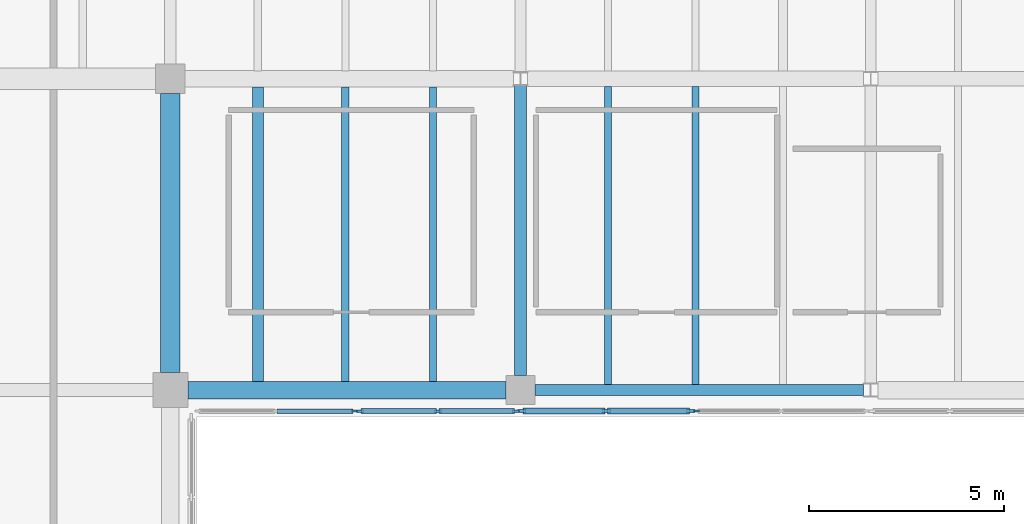
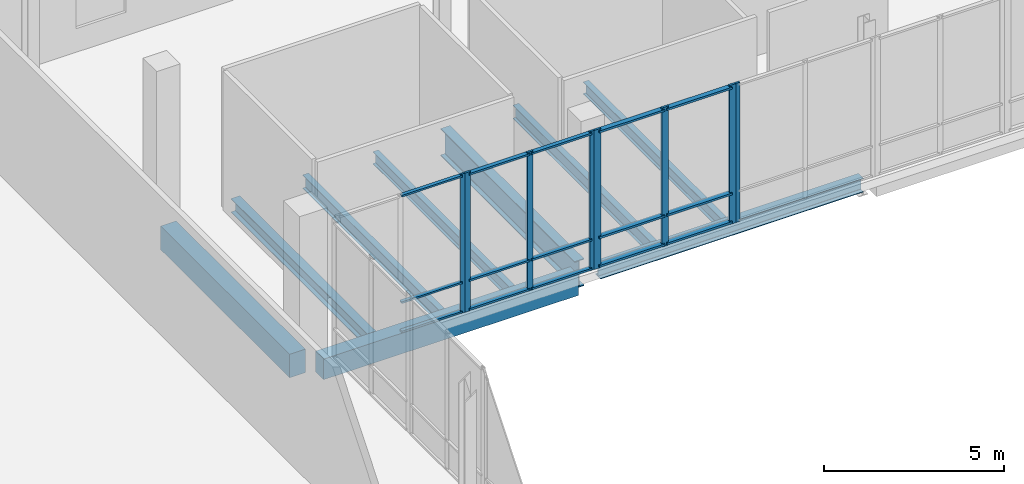
# One storey, part 30 of 73: 23 members, 9 beams, 4 elements without a shape of their own.
"""IFC4 building model written with IfcOpenShell, lengths in metres."""

from ifc_helpers import new_model, si_unit, direction, frame, origin, origin_2d, place, context, subcontext, project, spatial, rectangle, i_section, extrude, material, material_profile, profile_set, type_object, element, aggregate, save


model = new_model("IFC4")

# Units and contexts
model_context = context("Model", 3, precision=1e-05, world=origin(), true_north=direction((0.0, 1.0)))
body_context = subcontext(model_context, "Body", "Model", "MODEL_VIEW")
ifc_project = project(units=[si_unit("LENGTHUNIT", "METRE"), si_unit("AREAUNIT", "SQUARE_METRE"), si_unit("VOLUMEUNIT", "CUBIC_METRE"), si_unit("PLANEANGLEUNIT", "RADIAN"), si_unit("MASSUNIT", "GRAM", prefix="KILO")], contexts=[model_context])

# Site, building, storey
site_placement = place(None, origin())
site = spatial("IfcSite", under=ifc_project, at=site_placement, CompositionType="ELEMENT")
building_placement = place(site_placement, origin())
building = spatial("IfcBuilding", under=site, at=building_placement, Name="Trimount Lyric Opera House", CompositionType="ELEMENT")
storey_placement = place(building_placement, frame((0.0, 0.0, 10.0)))
storey = spatial("IfcBuildingStorey", under=building, at=storey_placement, Name="L02", CompositionType="ELEMENT", Elevation=10.0)

# Beams
ifc_material_1 = material(Name="Steel ASTM A992 Grade 50", Category="steel")
ifc_material_profile_1 = material_profile(ifc_material_1, i_section(OverallWidth=0.304931640625, OverallDepth=0.9189453125, WebThickness=0.017333984375, FlangeThickness=0.02783203125, FilletRadius=0.02001953125, at=origin_2d()), Name="W36X170")
ifc_profile_set_1 = profile_set([ifc_material_profile_1], Name="Steel ASTM A992 Grade 50")
beam_type_1 = type_object("IfcBeamType", Name="B-03", PredefinedType="BEAM", material=ifc_profile_set_1)
beam_1_placement = place(storey_placement, frame((27.0, 102.375, -0.739501953125), z_axis=(0.0, 1.0, 0.0), x_axis=(-1.0, 0.0, 0.0)))
element("IfcBeam", 1, at=beam_1_placement, inside=storey, type_object=beam_type_1, Name="L02 girder Y-0847", PredefinedType="BEAM", context=body_context, shape_type="SweptSolid", body=[
    extrude(i_section(OverallWidth=0.304931640625, OverallDepth=0.9189453125, WebThickness=0.017333984375, FlangeThickness=0.02783203125, FilletRadius=0.02001953125, at=origin_2d()), origin(), (0.0, 0.0, 1.0), 7.447021484375),
])
ifc_material_2 = material(Name="Concrete C40/50", Category="concrete")
ifc_material_profile_2 = material_profile(ifc_material_2, rectangle(XDim=0.5, YDim=0.800048828125, at=origin_2d()), Name="RC500X800")
ifc_profile_set_2 = profile_set([ifc_material_profile_2], Name="Concrete C40/50")
beam_type_2 = type_object("IfcBeamType", Name="B-15", PredefinedType="BEAM", material=ifc_profile_set_2)
beam_2_placement = place(storey_placement, frame((18.0, 102.449951171875, -0.679931640625), z_axis=(0.0, 1.0, 0.0), x_axis=(-1.0, 0.0, 0.0)))
element("IfcBeam", 2, at=beam_2_placement, inside=storey, type_object=beam_type_2, Name="L02 girder Y-0843", PredefinedType="BEAM", context=body_context, shape_type="SweptSolid", body=[
    extrude(rectangle(XDim=0.5, YDim=0.800048828125, at=origin_2d()), origin(), (0.0, 0.0, 1.0), 7.175048828125),
])
ifc_material_3 = material(Name="Steel ASTM A992 Grade 50", Category="steel")
ifc_material_profile_3 = material_profile(ifc_material_3, i_section(OverallWidth=0.281982421875, OverallDepth=0.467041015625, WebThickness=0.01220703125, FlangeThickness=0.01953125, FilletRadius=0.012939453125, at=origin_2d()), Name="W18X86")
ifc_profile_set_3 = profile_set([ifc_material_profile_3], Name="Steel ASTM A992 Grade 50")
beam_type_3 = type_object("IfcBeamType", Name="J-03", PredefinedType="BEAM", material=ifc_profile_set_3)
beam_3_placement = place(storey_placement, frame((20.25, 102.220947265625, -0.513427734375), z_axis=(0.0, 1.0, 0.0), x_axis=(-1.0, 0.0, 0.0)))
element("IfcBeam", 3, at=beam_3_placement, inside=storey, type_object=beam_type_3, Name="L02 composite floor joist 0818", PredefinedType="BEAM", context=body_context, shape_type="SweptSolid", body=[
    extrude(i_section(OverallWidth=0.281982421875, OverallDepth=0.467041015625, WebThickness=0.01220703125, FlangeThickness=0.01953125, FilletRadius=0.012939453125, at=origin_2d()), origin(), (0.0, 0.0, 1.0), 7.573486328125),
])
ifc_material_4 = material(Name="Steel ASTM A992 Grade 50", Category="steel")
ifc_material_profile_4 = material_profile(ifc_material_4, i_section(OverallWidth=0.19091796875, OverallDepth=0.45703125, WebThickness=0.009033203125, FlangeThickness=0.014404296875, FilletRadius=0.010986328125, at=origin_2d()), Name="W18X50")
ifc_profile_set_4 = profile_set([ifc_material_profile_4], Name="Steel ASTM A992 Grade 50")
beam_type_4 = type_object("IfcBeamType", Name="J-04", PredefinedType="BEAM", material=ifc_profile_set_4)
beam_4_placement = place(storey_placement, frame((22.5, 102.220947265625, -0.508544921875), z_axis=(0.0, 1.0, 0.0), x_axis=(-1.0, 0.0, 0.0)))
element("IfcBeam", 4, at=beam_4_placement, inside=storey, type_object=beam_type_4, Name="L02 composite floor joist 0819", PredefinedType="BEAM", context=body_context, shape_type="SweptSolid", body=[
    extrude(i_section(OverallWidth=0.19091796875, OverallDepth=0.45703125, WebThickness=0.009033203125, FlangeThickness=0.014404296875, FilletRadius=0.010986328125, at=origin_2d()), origin(), (0.0, 0.0, 1.0), 7.573486328125),
])
beam_5_placement = place(storey_placement, frame((29.25, 102.136962890625, -0.508544921875), z_axis=(0.0, 1.0, 0.0), x_axis=(-1.0, 0.0, 0.0)))
element("IfcBeam", 5, at=beam_5_placement, inside=storey, type_object=beam_type_4, Name="L02 composite floor joist 0828", PredefinedType="BEAM", context=body_context, shape_type="SweptSolid", body=[
    extrude(i_section(OverallWidth=0.19091796875, OverallDepth=0.45703125, WebThickness=0.009033203125, FlangeThickness=0.014404296875, FilletRadius=0.010986328125, at=origin_2d()), origin(), (0.0, 0.0, 1.0), 7.66650390625),
])
ifc_material_5 = material(Name="Steel ASTM A992 Grade 50", Category="steel")
ifc_material_profile_5 = material_profile(ifc_material_5, i_section(OverallWidth=0.180908203125, OverallDepth=0.4169921875, WebThickness=0.010986328125, FlangeThickness=0.018310546875, FilletRadius=0.010986328125, at=origin_2d()), Name="W16X57")
ifc_profile_set_5 = profile_set([ifc_material_profile_5], Name="Steel ASTM A992 Grade 50")
beam_type_5 = type_object("IfcBeamType", Name="J-05", PredefinedType="BEAM", material=ifc_profile_set_5)
beam_6_placement = place(storey_placement, frame((24.75, 102.220947265625, -0.488525390625), z_axis=(0.0, 1.0, 0.0), x_axis=(-1.0, 0.0, 0.0)))
element("IfcBeam", 6, at=beam_6_placement, inside=storey, type_object=beam_type_5, Name="L02 composite floor joist 0820", PredefinedType="BEAM", context=body_context, shape_type="SweptSolid", body=[
    extrude(i_section(OverallWidth=0.180908203125, OverallDepth=0.4169921875, WebThickness=0.010986328125, FlangeThickness=0.018310546875, FilletRadius=0.010986328125, at=origin_2d()), origin(), (0.0, 0.0, 1.0), 7.573486328125),
])
beam_7_placement = place(storey_placement, frame((31.5, 102.136962890625, -0.488525390625), z_axis=(0.0, 1.0, 0.0), x_axis=(-1.0, 0.0, 0.0)))
element("IfcBeam", 7, at=beam_7_placement, inside=storey, type_object=beam_type_5, Name="L02 composite floor joist 0829", PredefinedType="BEAM", context=body_context, shape_type="SweptSolid", body=[
    extrude(i_section(OverallWidth=0.180908203125, OverallDepth=0.4169921875, WebThickness=0.010986328125, FlangeThickness=0.018310546875, FilletRadius=0.010986328125, at=origin_2d()), origin(), (0.0, 0.0, 1.0), 7.66650390625),
])

# Curtain wall, members
ifc_material_6 = material(Name="Thermally Broken Aluminium and Low-E Glass", Category="aluminium")
curtain_wall_type = type_object("IfcCurtainWallType", Name="CW-03", PredefinedType="NOTDEFINED", material=ifc_material_6)
curtain_wall_1_placement = place(storey_placement, origin())
curtain_wall_1 = element("IfcCurtainWall", 8, at=curtain_wall_1_placement, inside=storey, type_object=curtain_wall_type, Name="L02 curtain wall 213", PredefinedType="NOTDEFINED")
ifc_material_7 = material(Name="Anodised Aluminium 6063-T6", Category="aluminium")
ifc_material_profile_6 = material_profile(ifc_material_7, rectangle(XDim=0.070068359375, YDim=0.219970703125, at=origin_2d()), Name="ALU-MULL-70X220")
ifc_profile_set_6 = profile_set([ifc_material_profile_6], Name="Anodised Aluminium 6063-T6")
member_type_1 = type_object("IfcMemberType", Name="ML-01", PredefinedType="MULLION", material=ifc_profile_set_6)
member_1_placement = place(storey_placement, frame((31.375, 101.4599609375, 0.0), z_axis=(0.0, 0.0, 1.0), x_axis=(0.0, -1.0, 0.0)))
member_1 = element("IfcMember", 9, at=member_1_placement, type_object=member_type_1, Name="CW-03 mullion 1", PredefinedType="MULLION", context=body_context, shape_type="SweptSolid", body=[
    extrude(rectangle(XDim=0.070068359375, YDim=0.219970703125, at=origin_2d()), origin(), (0.0, 0.0, 1.0), 4.719970703125),
])
member_2_placement = place(storey_placement, frame((29.205078125, 101.4599609375, 0.0), z_axis=(0.0, 0.0, 1.0), x_axis=(0.0, -1.0, 0.0)))
member_2 = element("IfcMember", 10, at=member_2_placement, type_object=member_type_1, Name="CW-03 mullion 2", PredefinedType="MULLION", context=body_context, shape_type="SweptSolid", body=[
    extrude(rectangle(XDim=0.070068359375, YDim=0.219970703125, at=origin_2d()), origin(), (0.0, 0.0, 1.0), 4.719970703125),
])
member_3_placement = place(storey_placement, frame((27.034912109375, 101.4599609375, 0.0), z_axis=(0.0, 0.0, 1.0), x_axis=(0.0, -1.0, 0.0)))
member_3 = element("IfcMember", 11, at=member_3_placement, type_object=member_type_1, Name="CW-03 mullion 3", PredefinedType="MULLION", context=body_context, shape_type="SweptSolid", body=[
    extrude(rectangle(XDim=0.070068359375, YDim=0.219970703125, at=origin_2d()), origin(), (0.0, 0.0, 1.0), 4.719970703125),
])

curtain_wall_2_placement = place(storey_placement, origin())
curtain_wall_2 = element("IfcCurtainWall", 12, at=curtain_wall_2_placement, inside=storey, type_object=curtain_wall_type, Name="L02 curtain wall 214", PredefinedType="NOTDEFINED")
ifc_material_8 = material(Name="Anodised Aluminium 6063-T6", Category="aluminium")
ifc_material_profile_7 = material_profile(ifc_material_8, rectangle(XDim=0.06494140625, YDim=0.179931640625, at=origin_2d()), Name="ALU-MULL-65X180")
ifc_profile_set_7 = profile_set([ifc_material_profile_7], Name="Anodised Aluminium 6063-T6")
member_type_2 = type_object("IfcMemberType", Name="ML-02", PredefinedType="MULLION", material=ifc_profile_set_7)
member_4_placement = place(storey_placement, frame((26.87744140625, 101.4599609375, 0.0), z_axis=(0.0, 0.0, 1.0), x_axis=(0.0, -1.0, 0.0)))
member_4 = element("IfcMember", 13, at=member_4_placement, type_object=member_type_2, Name="CW-03 mullion 1", PredefinedType="MULLION", context=body_context, shape_type="SweptSolid", body=[
    extrude(rectangle(XDim=0.06494140625, YDim=0.179931640625, at=origin_2d()), origin(), (0.0, 0.0, 1.0), 4.719970703125),
])
member_5_placement = place(storey_placement, frame((24.875, 101.4599609375, 0.0), z_axis=(0.0, 0.0, 1.0), x_axis=(0.0, -1.0, 0.0)))
member_5 = element("IfcMember", 14, at=member_5_placement, type_object=member_type_2, Name="CW-03 mullion 2", PredefinedType="MULLION", context=body_context, shape_type="SweptSolid", body=[
    extrude(rectangle(XDim=0.06494140625, YDim=0.179931640625, at=origin_2d()), origin(), (0.0, 0.0, 1.0), 4.719970703125),
])
member_6_placement = place(storey_placement, frame((22.87255859375, 101.4599609375, 0.0), z_axis=(0.0, 0.0, 1.0), x_axis=(0.0, -1.0, 0.0)))
member_6 = element("IfcMember", 15, at=member_6_placement, type_object=member_type_2, Name="CW-03 mullion 3", PredefinedType="MULLION", context=body_context, shape_type="SweptSolid", body=[
    extrude(rectangle(XDim=0.06494140625, YDim=0.179931640625, at=origin_2d()), origin(), (0.0, 0.0, 1.0), 4.719970703125),
])

# Curtain wall, member
curtain_wall_3_placement = place(storey_placement, origin())
curtain_wall_3 = element("IfcCurtainWall", 16, at=curtain_wall_3_placement, inside=storey, type_object=curtain_wall_type, Name="L02 curtain wall 212", PredefinedType="NOTDEFINED")
ifc_material_9 = material(Name="Anodised Aluminium 6063-T6", Category="aluminium")
ifc_material_profile_8 = material_profile(ifc_material_9, rectangle(XDim=0.06005859375, YDim=0.14990234375, at=origin_2d()), Name="ALU-MULL-60X150")
ifc_profile_set_8 = profile_set([ifc_material_profile_8], Name="Anodised Aluminium 6063-T6")
member_type_3 = type_object("IfcMemberType", Name="ML-03", PredefinedType="MULLION", material=ifc_profile_set_8)
member_7_placement = place(storey_placement, frame((31.530029296875, 101.4599609375, 0.0), z_axis=(0.0, 0.0, 1.0), x_axis=(0.0, -1.0, 0.0)))
member_7 = element("IfcMember", 17, at=member_7_placement, type_object=member_type_3, Name="CW-03 mullion 3", PredefinedType="MULLION", context=body_context, shape_type="SweptSolid", body=[
    extrude(rectangle(XDim=0.06005859375, YDim=0.14990234375, at=origin_2d()), origin(), (0.0, 0.0, 1.0), 4.719970703125),
])
aggregate(curtain_wall_3, [member_7])

curtain_wall_4_placement = place(storey_placement, origin())
curtain_wall_4 = element("IfcCurtainWall", 18, at=curtain_wall_4_placement, inside=storey, type_object=curtain_wall_type, Name="L02 curtain wall 215", PredefinedType="NOTDEFINED")
member_8_placement = place(storey_placement, frame((22.719970703125, 101.4599609375, 0.0), z_axis=(0.0, 0.0, 1.0), x_axis=(0.0, -1.0, 0.0)))
member_8 = element("IfcMember", 19, at=member_8_placement, type_object=member_type_3, Name="CW-03 mullion 1", PredefinedType="MULLION", context=body_context, shape_type="SweptSolid", body=[
    extrude(rectangle(XDim=0.06005859375, YDim=0.14990234375, at=origin_2d()), origin(), (0.0, 0.0, 1.0), 4.719970703125),
])

# Beams
ifc_material_10 = material(Name="Steel ASTM A992 Grade 50", Category="steel")
ifc_material_profile_9 = material_profile(ifc_material_10, i_section(OverallWidth=0.281982421875, OverallDepth=0.467041015625, WebThickness=0.01220703125, FlangeThickness=0.01953125, FilletRadius=0.012939453125, at=origin_2d()), Name="W18X86")
ifc_profile_set_9 = profile_set([ifc_material_profile_9], Name="Steel ASTM A992 Grade 50")
beam_type_6 = type_object("IfcBeamType", Name="SP-01", PredefinedType="SPANDREL", material=ifc_profile_set_9)
beam_8_placement = place(storey_placement, frame((27.375, 102.0, -0.513427734375), z_axis=(1.0, 0.0, 0.0), x_axis=(0.0, 1.0, 0.0)))
element("IfcBeam", 20, at=beam_8_placement, inside=storey, type_object=beam_type_6, Name="L02 girder X-0790", PredefinedType="SPANDREL", context=body_context, shape_type="SweptSolid", body=[
    extrude(i_section(OverallWidth=0.281982421875, OverallDepth=0.467041015625, WebThickness=0.01220703125, FlangeThickness=0.01953125, FilletRadius=0.012939453125, at=origin_2d()), origin(), (0.0, 0.0, 1.0), 8.44091796875),
])
ifc_material_11 = material(Name="Concrete C40/50", Category="concrete")
ifc_material_profile_10 = material_profile(ifc_material_11, rectangle(XDim=0.449951171875, YDim=0.699951171875, at=origin_2d()), Name="RC450X700")
ifc_profile_set_10 = profile_set([ifc_material_profile_10], Name="Concrete C40/50")
beam_type_7 = type_object("IfcBeamType", Name="SP-02", PredefinedType="SPANDREL", material=ifc_profile_set_10)
beam_9_placement = place(storey_placement, frame((18.449951171875, 102.0, -0.6298828125), z_axis=(1.0, 0.0, 0.0), x_axis=(0.0, 1.0, 0.0)))
element("IfcBeam", 21, at=beam_9_placement, inside=storey, type_object=beam_type_7, Name="L02 girder X-0789", PredefinedType="SPANDREL", context=body_context, shape_type="SweptSolid", body=[
    extrude(rectangle(XDim=0.449951171875, YDim=0.699951171875, at=origin_2d()), origin(), (0.0, 0.0, 1.0), 8.175048828125),
])

# Member
ifc_material_12 = material(Name="Anodised Aluminium 6063-T6", Category="aluminium")
ifc_material_profile_11 = material_profile(ifc_material_12, rectangle(XDim=0.159912109375, YDim=0.070068359375, at=origin_2d()), Name="ALU-TRAN-70X160")
ifc_profile_set_11 = profile_set([ifc_material_profile_11], Name="Anodised Aluminium 6063-T6")
member_type_4 = type_object("IfcMemberType", Name="TR-01", PredefinedType="USERDEFINED", material=ifc_profile_set_11)
member_9_placement = place(storey_placement, frame((31.340087890625, 101.4599609375, 0.080078125), z_axis=(-1.0, 0.0, 0.0), x_axis=(0.0, -1.0, 0.0)))
member_9 = element("IfcMember", 22, at=member_9_placement, type_object=member_type_4, Name="CW-03 transom 1.1", ObjectType="TRANSOM", PredefinedType="USERDEFINED", context=body_context, shape_type="SweptSolid", body=[
    extrude(rectangle(XDim=0.159912109375, YDim=0.070068359375, at=origin_2d()), origin(), (0.0, 0.0, 1.0), 2.10009765625),
])

member_10_placement = place(storey_placement, frame((31.340087890625, 101.4599609375, 1.050048828125), z_axis=(-1.0, 0.0, 0.0), x_axis=(0.0, -1.0, 0.0)))
member_10 = element("IfcMember", 23, at=member_10_placement, type_object=member_type_4, Name="CW-03 transom 1.2", ObjectType="TRANSOM", PredefinedType="USERDEFINED", context=body_context, shape_type="SweptSolid", body=[
    extrude(rectangle(XDim=0.159912109375, YDim=0.070068359375, at=origin_2d()), origin(), (0.0, 0.0, 1.0), 2.10009765625),
])

member_11_placement = place(storey_placement, frame((31.340087890625, 101.4599609375, 4.639892578125), z_axis=(-1.0, 0.0, 0.0), x_axis=(0.0, -1.0, 0.0)))
member_11 = element("IfcMember", 24, at=member_11_placement, type_object=member_type_4, Name="CW-03 transom 1.3", ObjectType="TRANSOM", PredefinedType="USERDEFINED", context=body_context, shape_type="SweptSolid", body=[
    extrude(rectangle(XDim=0.159912109375, YDim=0.070068359375, at=origin_2d()), origin(), (0.0, 0.0, 1.0), 2.10009765625),
])

member_12_placement = place(storey_placement, frame((29.169921875, 101.4599609375, 0.080078125), z_axis=(-1.0, 0.0, 0.0), x_axis=(0.0, -1.0, 0.0)))
member_12 = element("IfcMember", 25, at=member_12_placement, type_object=member_type_4, Name="CW-03 transom 2.1", ObjectType="TRANSOM", PredefinedType="USERDEFINED", context=body_context, shape_type="SweptSolid", body=[
    extrude(rectangle(XDim=0.159912109375, YDim=0.070068359375, at=origin_2d()), origin(), (0.0, 0.0, 1.0), 2.099853515625),
])

member_13_placement = place(storey_placement, frame((29.169921875, 101.4599609375, 1.050048828125), z_axis=(-1.0, 0.0, 0.0), x_axis=(0.0, -1.0, 0.0)))
member_13 = element("IfcMember", 26, at=member_13_placement, type_object=member_type_4, Name="CW-03 transom 2.2", ObjectType="TRANSOM", PredefinedType="USERDEFINED", context=body_context, shape_type="SweptSolid", body=[
    extrude(rectangle(XDim=0.159912109375, YDim=0.070068359375, at=origin_2d()), origin(), (0.0, 0.0, 1.0), 2.099853515625),
])

member_14_placement = place(storey_placement, frame((29.169921875, 101.4599609375, 4.639892578125), z_axis=(-1.0, 0.0, 0.0), x_axis=(0.0, -1.0, 0.0)))
member_14 = element("IfcMember", 27, at=member_14_placement, type_object=member_type_4, Name="CW-03 transom 2.3", ObjectType="TRANSOM", PredefinedType="USERDEFINED", context=body_context, shape_type="SweptSolid", body=[
    extrude(rectangle(XDim=0.159912109375, YDim=0.070068359375, at=origin_2d()), origin(), (0.0, 0.0, 1.0), 2.099853515625),
])

aggregate(curtain_wall_1, [member_1, member_2, member_3, member_9, member_10, member_11, member_12, member_13, member_14])

ifc_material_13 = material(Name="Anodised Aluminium 6063-T6", Category="aluminium")
ifc_material_profile_12 = material_profile(ifc_material_13, rectangle(XDim=0.135009765625, YDim=0.06494140625, at=origin_2d()), Name="ALU-TRAN-65X135")
ifc_profile_set_12 = profile_set([ifc_material_profile_12], Name="Anodised Aluminium 6063-T6")
member_type_5 = type_object("IfcMemberType", Name="TR-02", PredefinedType="USERDEFINED", material=ifc_profile_set_12)
member_15_placement = place(storey_placement, frame((26.844970703125, 101.4599609375, 0.0673828125), z_axis=(-1.0, 0.0, 0.0), x_axis=(0.0, -1.0, 0.0)))
member_15 = element("IfcMember", 28, at=member_15_placement, type_object=member_type_5, Name="CW-03 transom 1.1", ObjectType="TRANSOM", PredefinedType="USERDEFINED", context=body_context, shape_type="SweptSolid", body=[
    extrude(rectangle(XDim=0.135009765625, YDim=0.06494140625, at=origin_2d()), origin(), (0.0, 0.0, 1.0), 1.9375),
])

member_16_placement = place(storey_placement, frame((26.844970703125, 101.4599609375, 1.050048828125), z_axis=(-1.0, 0.0, 0.0), x_axis=(0.0, -1.0, 0.0)))
member_16 = element("IfcMember", 29, at=member_16_placement, type_object=member_type_5, Name="CW-03 transom 1.2", ObjectType="TRANSOM", PredefinedType="USERDEFINED", context=body_context, shape_type="SweptSolid", body=[
    extrude(rectangle(XDim=0.135009765625, YDim=0.06494140625, at=origin_2d()), origin(), (0.0, 0.0, 1.0), 1.9375),
])

member_17_placement = place(storey_placement, frame((26.844970703125, 101.4599609375, 4.652587890625), z_axis=(-1.0, 0.0, 0.0), x_axis=(0.0, -1.0, 0.0)))
member_17 = element("IfcMember", 30, at=member_17_placement, type_object=member_type_5, Name="CW-03 transom 1.3", ObjectType="TRANSOM", PredefinedType="USERDEFINED", context=body_context, shape_type="SweptSolid", body=[
    extrude(rectangle(XDim=0.135009765625, YDim=0.06494140625, at=origin_2d()), origin(), (0.0, 0.0, 1.0), 1.9375),
])

member_18_placement = place(storey_placement, frame((24.842529296875, 101.4599609375, 0.0673828125), z_axis=(-1.0, 0.0, 0.0), x_axis=(0.0, -1.0, 0.0)))
member_18 = element("IfcMember", 31, at=member_18_placement, type_object=member_type_5, Name="CW-03 transom 2.1", ObjectType="TRANSOM", PredefinedType="USERDEFINED", context=body_context, shape_type="SweptSolid", body=[
    extrude(rectangle(XDim=0.135009765625, YDim=0.06494140625, at=origin_2d()), origin(), (0.0, 0.0, 1.0), 1.9375),
])

member_19_placement = place(storey_placement, frame((24.842529296875, 101.4599609375, 1.050048828125), z_axis=(-1.0, 0.0, 0.0), x_axis=(0.0, -1.0, 0.0)))
member_19 = element("IfcMember", 32, at=member_19_placement, type_object=member_type_5, Name="CW-03 transom 2.2", ObjectType="TRANSOM", PredefinedType="USERDEFINED", context=body_context, shape_type="SweptSolid", body=[
    extrude(rectangle(XDim=0.135009765625, YDim=0.06494140625, at=origin_2d()), origin(), (0.0, 0.0, 1.0), 1.9375),
])

member_20_placement = place(storey_placement, frame((24.842529296875, 101.4599609375, 4.652587890625), z_axis=(-1.0, 0.0, 0.0), x_axis=(0.0, -1.0, 0.0)))
member_20 = element("IfcMember", 33, at=member_20_placement, type_object=member_type_5, Name="CW-03 transom 2.3", ObjectType="TRANSOM", PredefinedType="USERDEFINED", context=body_context, shape_type="SweptSolid", body=[
    extrude(rectangle(XDim=0.135009765625, YDim=0.06494140625, at=origin_2d()), origin(), (0.0, 0.0, 1.0), 1.9375),
])

aggregate(curtain_wall_2, [member_4, member_5, member_6, member_15, member_16, member_17, member_18, member_19, member_20])

ifc_material_14 = material(Name="Anodised Aluminium 6063-T6", Category="aluminium")
ifc_material_profile_13 = material_profile(ifc_material_14, rectangle(XDim=0.114990234375, YDim=0.06005859375, at=origin_2d()), Name="ALU-TRAN-60X115")
ifc_profile_set_13 = profile_set([ifc_material_profile_13], Name="Anodised Aluminium 6063-T6")
member_type_6 = type_object("IfcMemberType", Name="TR-03", PredefinedType="USERDEFINED", material=ifc_profile_set_13)
member_21_placement = place(storey_placement, frame((22.68994140625, 101.4599609375, 0.0576171875), z_axis=(-1.0, 0.0, 0.0), x_axis=(0.0, -1.0, 0.0)))
member_21 = element("IfcMember", 34, at=member_21_placement, type_object=member_type_6, Name="CW-03 transom 1.1", ObjectType="TRANSOM", PredefinedType="USERDEFINED", context=body_context, shape_type="SweptSolid", body=[
    extrude(rectangle(XDim=0.114990234375, YDim=0.06005859375, at=origin_2d()), origin(), (0.0, 0.0, 1.0), 1.94482421875),
])

member_22_placement = place(storey_placement, frame((22.68994140625, 101.4599609375, 1.050048828125), z_axis=(-1.0, 0.0, 0.0), x_axis=(0.0, -1.0, 0.0)))
member_22 = element("IfcMember", 35, at=member_22_placement, type_object=member_type_6, Name="CW-03 transom 1.2", ObjectType="TRANSOM", PredefinedType="USERDEFINED", context=body_context, shape_type="SweptSolid", body=[
    extrude(rectangle(XDim=0.114990234375, YDim=0.06005859375, at=origin_2d()), origin(), (0.0, 0.0, 1.0), 1.94482421875),
])

member_23_placement = place(storey_placement, frame((22.68994140625, 101.4599609375, 4.66259765625), z_axis=(-1.0, 0.0, 0.0), x_axis=(0.0, -1.0, 0.0)))
member_23 = element("IfcMember", 36, at=member_23_placement, type_object=member_type_6, Name="CW-03 transom 1.3", ObjectType="TRANSOM", PredefinedType="USERDEFINED", context=body_context, shape_type="SweptSolid", body=[
    extrude(rectangle(XDim=0.114990234375, YDim=0.06005859375, at=origin_2d()), origin(), (0.0, 0.0, 1.0), 1.94482421875),
])

aggregate(curtain_wall_4, [member_8, member_21, member_22, member_23])

save(model, "model.ifc")
